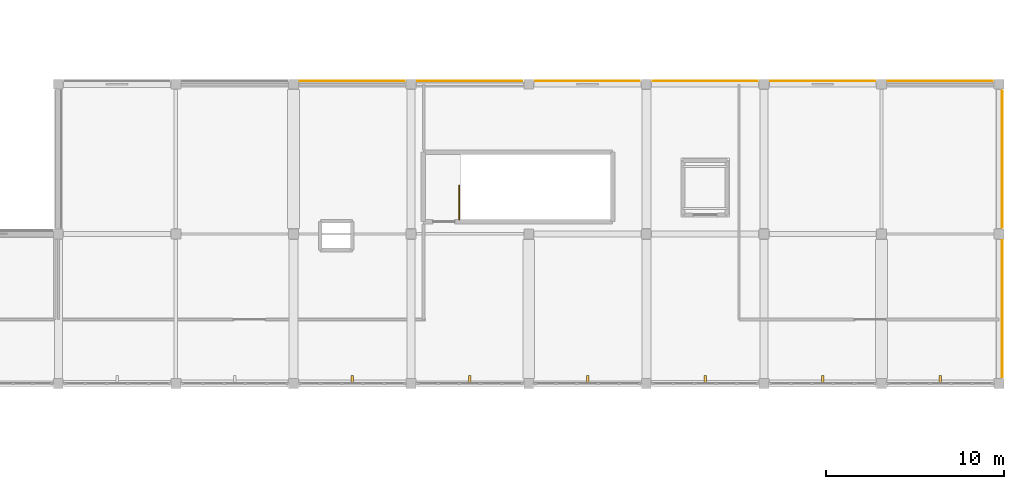
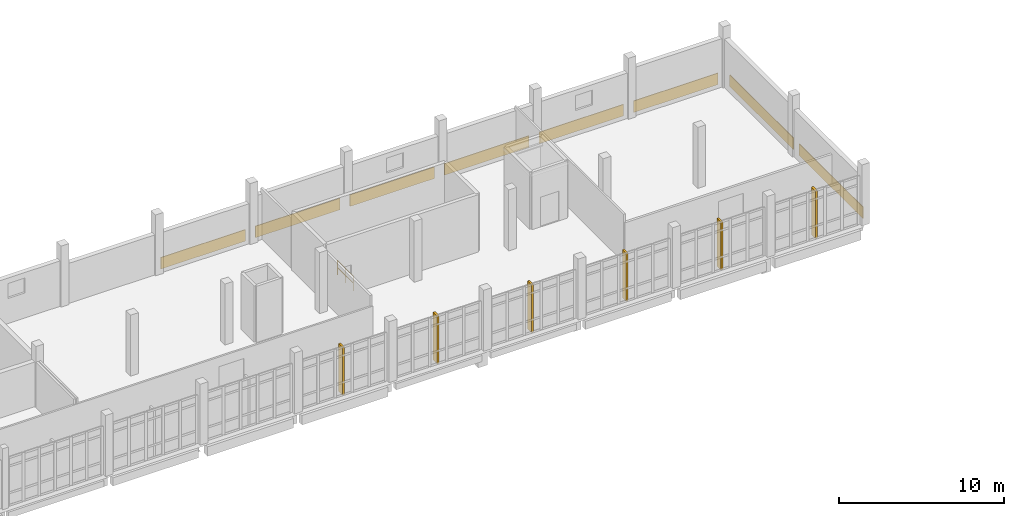
# One storey, part 134 of 134: 8 coverings, 6 shading devices, 1 railing.
"""IFC4 building model written with IfcOpenShell, lengths in metres."""

from ifc_helpers import new_model, si_unit, direction, frame, origin, origin_2d, place, context, subcontext, project, spatial, rectangle, circle, extrude, material, layer, layer_set, type_object, element, save


model = new_model("IFC4")

# Units and contexts
model_context = context("Model", 3, precision=1e-05, world=origin(), true_north=direction((0.0, 1.0)))
body_context = subcontext(model_context, "Body", "Model", "MODEL_VIEW")
ifc_project = project(units=[si_unit("LENGTHUNIT", "METRE"), si_unit("AREAUNIT", "SQUARE_METRE"), si_unit("VOLUMEUNIT", "CUBIC_METRE"), si_unit("PLANEANGLEUNIT", "RADIAN"), si_unit("MASSUNIT", "GRAM", prefix="KILO")], contexts=[model_context])

# Site, building, storey
site_placement = place(None, origin())
site = spatial("IfcSite", under=ifc_project, at=site_placement, CompositionType="ELEMENT")
building_placement = place(site_placement, origin())
building = spatial("IfcBuilding", under=site, at=building_placement, Name="Kalluvel Institute of Natural Sciences", CompositionType="ELEMENT")
storey_placement = place(building_placement, frame((0.0, 0.0, 5.39990234375)))
storey = spatial("IfcBuildingStorey", under=building, at=storey_placement, Name="L01", CompositionType="ELEMENT", Elevation=5.39990234375)

# Coverings
ifc_material_1 = material(Name="Sadarahalli Grey Granite Ashlar Concrete M40", Category="masonry")
ifc_layer = layer(ifc_material_1, 0.044921875)
ifc_layer_set = layer_set([ifc_layer], Name="Sadarahalli Grey Granite Ashlar Concrete M40")
covering_type = type_object("IfcCoveringType", Name="COV-CLAD-STONE", PredefinedType="CLADDING", material=ifc_layer_set)
for number, where, z_axis, x_axis, name in (
    (1, (145.699951171875, 119.780029296875, 0.025146484375), (0.0, 0.0, 1.0), (1.0, 0.0, 0.0), "L01 Sadarahalli granite plinth spandrel cladding 352"),
    (2, (152.300048828125, 119.780029296875, 0.025146484375), (0.0, 0.0, 1.0), (1.0, 0.0, 0.0), "L01 Sadarahalli granite plinth spandrel cladding 353"),
    (3, (158.89990234375, 119.780029296875, 0.025146484375), (0.0, 0.0, 1.0), (1.0, 0.0, 0.0), "L01 Sadarahalli granite plinth spandrel cladding 354"),
    (4, (165.5, 119.780029296875, 0.025146484375), (0.0, 0.0, 1.0), (1.0, 0.0, 0.0), "L01 Sadarahalli granite plinth spandrel cladding 355"),
    (5, (172.10009765625, 119.780029296875, 0.025146484375), (0.0, 0.0, 1.0), (1.0, 0.0, 0.0), "L01 Sadarahalli granite plinth spandrel cladding 356"),
    (6, (178.699951171875, 119.780029296875, 0.025146484375), (0.0, 0.0, 1.0), (1.0, 0.0, 0.0), "L01 Sadarahalli granite plinth spandrel cladding 357"),
):
    element("IfcCovering", number, at=place(storey_placement, frame(where, z_axis=z_axis, x_axis=x_axis)), inside=storey, type_object=covering_type, Name=name, PredefinedType="CLADDING", context=body_context, shape_type="SweptSolid", body=[
        extrude(rectangle(XDim=5.889892578125, YDim=0.044921875, at=origin_2d()), origin(), (0.0, 0.0, 1.0), 0.85009765625),
    ])
for number, where, z_axis, x_axis, name in (
    (7, (182.179931640625, 107.0, 0.025146484375), (0.0, 0.0, 1.0), (0.0, 1.0, 0.0), "L01 Sadarahalli granite plinth spandrel cladding 358"),
    (8, (182.179931640625, 115.39990234375, 0.025146484375), (0.0, 0.0, 1.0), (0.0, 1.0, 0.0), "L01 Sadarahalli granite plinth spandrel cladding 359"),
):
    element("IfcCovering", number, at=place(storey_placement, frame(where, z_axis=z_axis, x_axis=x_axis)), inside=storey, type_object=covering_type, Name=name, PredefinedType="CLADDING", context=body_context, shape_type="SweptSolid", body=[
        extrude(rectangle(XDim=7.68994140625, YDim=0.044921875, at=origin_2d()), origin(), (0.0, 0.0, 1.0), 0.85009765625),
    ])

# Railing
ifc_material_2 = material(Name="Galvanized Fire-Rated Steel", Category="steel")
railing_type = type_object("IfcRailingType", Name="RL-GD-STAIR", PredefinedType="BALUSTRADE", material=ifc_material_2)
railing_placement = place(storey_placement, frame((151.699951171875, 112.0, 0.0)))
element("IfcRailing", 9, at=railing_placement, inside=storey, type_object=railing_type, Name="L01 ST5 top well guard 1", PredefinedType="BALUSTRADE", context=body_context, shape_type="SweptSolid", body=[
    extrude(circle(Radius=0.02392578125, at=origin_2d()), frame((0.0, 0.0, 1.09619140625), z_axis=(0.0, 1.0, 0.0), x_axis=(-1.0, 0.0, 0.0)), (0.0, 0.0, 1.0), 1.909912109375),
    extrude(circle(Radius=0.02392578125, at=origin_2d()), frame((0.0, 0.0, 0.56005859375), z_axis=(0.0, 1.0, 0.0), x_axis=(-1.0, 0.0, 0.0)), (0.0, 0.0, 1.0), 1.909912109375),
    extrude(circle(Radius=0.02099609375, at=origin_2d()), origin(), (0.0, 0.0, 1.0), 1.072021484375),
    extrude(circle(Radius=0.02099609375, at=origin_2d()), frame((0.0, 0.955078125, 0.0)), (0.0, 0.0, 1.0), 1.072021484375),
    extrude(circle(Radius=0.02099609375, at=origin_2d()), frame((0.0, 1.909912109375, 0.0)), (0.0, 0.0, 1.0), 1.072021484375),
])

# Shading devices
shading_device_type = type_object("IfcShadingDeviceType", Name="SHD-FIN-STONE", PredefinedType="USERDEFINED", material=ifc_material_1)
for number, where, z_axis, x_axis, name in (
    (10, (145.699951171875, 103.02001953125, 0.0), (0.0, 0.0, 1.0), (1.0, 0.0, 0.0), "L01 monsoon lancet shading fin 254"),
    (11, (152.300048828125, 103.02001953125, 0.0), (0.0, 0.0, 1.0), (1.0, 0.0, 0.0), "L01 monsoon lancet shading fin 255"),
    (12, (158.89990234375, 103.02001953125, 0.0), (0.0, 0.0, 1.0), (1.0, 0.0, 0.0), "L01 monsoon lancet shading fin 256"),
    (13, (165.5, 103.02001953125, 0.0), (0.0, 0.0, 1.0), (1.0, 0.0, 0.0), "L01 monsoon lancet shading fin 257"),
    (14, (172.10009765625, 103.02001953125, 0.0), (0.0, 0.0, 1.0), (1.0, 0.0, 0.0), "L01 monsoon lancet shading fin 258"),
    (15, (178.699951171875, 103.02001953125, 0.0), (0.0, 0.0, 1.0), (1.0, 0.0, 0.0), "L01 monsoon lancet shading fin 259"),
):
    element("IfcShadingDevice", number, at=place(storey_placement, frame(where, z_axis=z_axis, x_axis=x_axis)), inside=storey, type_object=shading_device_type, Name=name, ObjectType="MONSOON FIN", PredefinedType="USERDEFINED", context=body_context, shape_type="SweptSolid", body=[
        extrude(rectangle(XDim=0.139892578125, YDim=0.47998046875, at=origin_2d()), origin(), (0.0, 0.0, 1.0), 3.530029296875),
    ])

save(model, "model.ifc")
